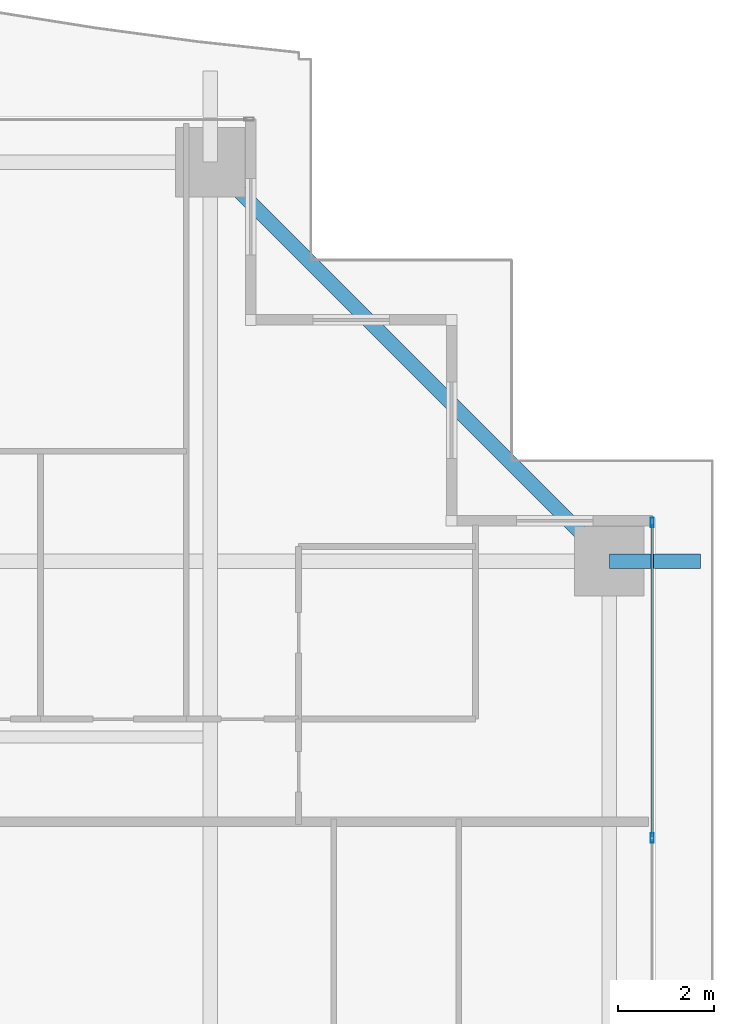
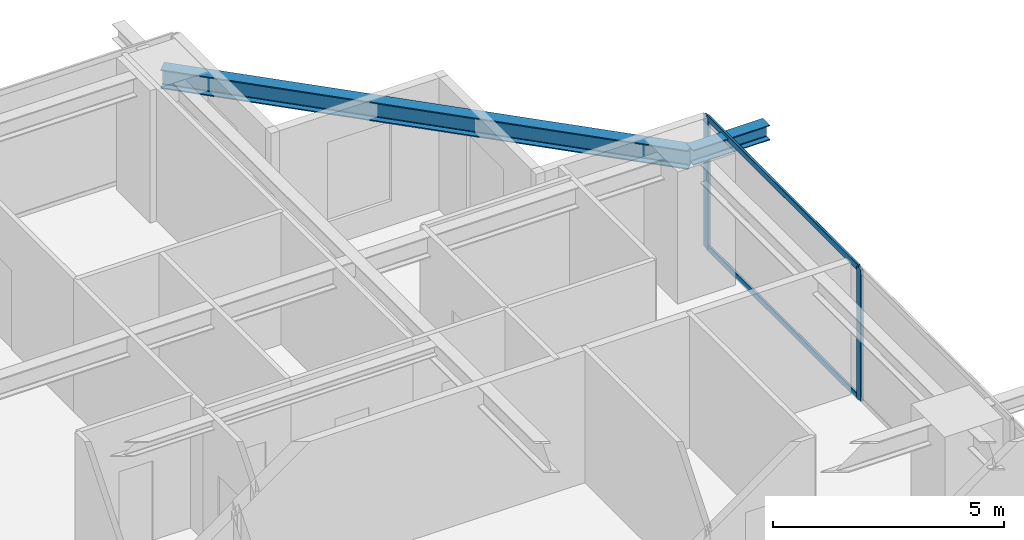
# One storey, part 20 of 35: 4 members, 2 beams, 1 element without a shape of its own.
"""IFC4 building model written with IfcOpenShell, lengths in metres."""

import ifcopenshell
import ifcopenshell.guid

model = None  # the IFC model being written
_history = None  # IfcOwnerHistory: only IFC2X3 demands one
_inside = {}  # id of a spatial element -> (the spatial element, [elements in it])
_under = {}  # id of a project, library or spatial element -> (it, [spatial elements below it])
_declared = {}  # id of a project -> (the project, [libraries it declares])
_typed = {}  # id of a type object -> (the type object, [elements of that type])
_made_of = {}  # id of a material, layer set ... -> (it, [elements and type objects made of it])


def new_model(schema):
    """Start an empty IFC model of exactly this schema.

    Asked for "IFC4X3", IfcOpenShell would pick the latest addendum, in which some entities
    have other attributes; the version numbers below select the first issue.
    IFC2X3 requires an IfcOwnerHistory on every rooted entity: one is made here for all.
    """
    global model, _history
    if schema == "IFC4X3":
        model = ifcopenshell.file(schema_version=(4, 3, 0, 0))
    else:
        model = ifcopenshell.file(schema=schema)
    _inside.clear()
    _under.clear()
    _declared.clear()
    _typed.clear()
    _made_of.clear()
    _history = None
    if model.schema == "IFC2X3":
        org = make("IfcOrganization", Name="unknown")
        user = make(
            "IfcPersonAndOrganization",
            ThePerson=make("IfcPerson", FamilyName="unknown"),
            TheOrganization=org,
        )
        app = make(
            "IfcApplication",
            ApplicationDeveloper=org,
            Version="unknown",
            ApplicationFullName="unknown",
            ApplicationIdentifier="unknown",
        )
        _history = make(
            "IfcOwnerHistory",
            OwningUser=user,
            OwningApplication=app,
            ChangeAction="ADDED",
            CreationDate=0,
        )
    return model


def make(cls, **values):
    """One entity of the class cls with the attributes given. An attribute that is None is left unset."""
    return model.create_entity(
        cls, **{name: value for name, value in values.items() if value is not None}
    )


def rooted(cls, **values):
    """An entity with a GlobalId (a new one), such as an element, a storey or a relation."""
    return make(cls, GlobalId=ifcopenshell.guid.new(), OwnerHistory=_history, **values)


def si_unit(unit_type, name, prefix=None):
    """IfcSIUnit, for example si_unit("LENGTHUNIT", "METRE", prefix="MILLI")."""
    return make("IfcSIUnit", UnitType=unit_type, Prefix=prefix, Name=name)


def assignment(units):
    """IfcUnitAssignment: the units of a project."""
    return None if units is None else make("IfcUnitAssignment", Units=units)


def point(xyz):
    """IfcCartesianPoint."""
    return None if xyz is None else make("IfcCartesianPoint", Coordinates=xyz)


def direction(xyz):
    """IfcDirection."""
    return None if xyz is None else make("IfcDirection", DirectionRatios=xyz)


def frame(location, z_axis=None, x_axis=None):
    """IfcAxis2Placement3D, a coordinate frame: its origin and axes. An axis left out is left unset."""
    return make(
        "IfcAxis2Placement3D",
        Location=point(location),
        Axis=direction(z_axis),
        RefDirection=direction(x_axis),
    )


def frame_2d(location, x_axis=None):
    """IfcAxis2Placement2D, a coordinate frame in the plane: its origin and x axis."""
    return make(
        "IfcAxis2Placement2D", Location=point(location), RefDirection=direction(x_axis)
    )


def origin():
    """The frame at (0, 0, 0) with its axes left unset."""
    return frame((0.0, 0.0, 0.0))


def origin_2d():
    """The frame at (0, 0) in the plane with its x axis left unset."""
    return frame_2d((0.0, 0.0))


def place(relative_to, where):
    """IfcLocalPlacement: puts the frame where relative to a parent placement (None: the world)."""
    return make(
        "IfcLocalPlacement", PlacementRelTo=relative_to, RelativePlacement=where
    )


def context(
    kind, dimensions, precision=None, world=None, true_north=None, identifier=None
):
    """IfcGeometricRepresentationContext, for example the 3D "Model" context."""
    return make(
        "IfcGeometricRepresentationContext",
        ContextIdentifier=identifier,
        ContextType=kind,
        CoordinateSpaceDimension=dimensions,
        Precision=precision,
        WorldCoordinateSystem=world,
        TrueNorth=true_north,
    )


def subcontext(parent, identifier, kind, view, scale=None):
    """IfcGeometricRepresentationSubContext, for example "Body" below "Model"."""
    return make(
        "IfcGeometricRepresentationSubContext",
        ContextIdentifier=identifier,
        ContextType=kind,
        ParentContext=parent,
        TargetScale=scale,
        TargetView=view,
    )


def project(units=None, contexts=None):
    """IfcProject with its units and contexts."""
    return rooted(
        "IfcProject",
        Name="project",
        RepresentationContexts=contexts,
        UnitsInContext=assignment(units),
    )


def spatial(cls, under=None, at=None, **own):
    """A site, building, storey or space (cls), placed at a placement, below another one or the project."""
    s = rooted(cls, ObjectPlacement=at, **own)
    if under is not None:
        _under.setdefault(under.id(), (under, []))[1].append(s)
    return s


def profile(cls, at=None, kind="AREA", **sizes):
    """A parametric profile (cls). Its sizes go by their IFC names, for example OverallWidth=200.0."""
    return make(cls, ProfileType=kind, Position=at, **sizes)


def hollow_rectangle(**sizes):
    """IfcRectangleHollowProfileDef."""
    return profile("IfcRectangleHollowProfileDef", **sizes)


def i_section(**sizes):
    """IfcIShapeProfileDef."""
    return profile("IfcIShapeProfileDef", **sizes)


def extrude(swept, where, along, depth):
    """IfcExtrudedAreaSolid: the profile swept, set in the frame where, extruded along a direction by depth."""
    return make(
        "IfcExtrudedAreaSolid",
        SweptArea=swept,
        Position=where,
        ExtrudedDirection=direction(along),
        Depth=depth,
    )


def shape(context_of_items, identifier, shape_type, items):
    """IfcShapeRepresentation: the items that make up one representation, for example the "Body"."""
    return make(
        "IfcShapeRepresentation",
        ContextOfItems=context_of_items,
        RepresentationIdentifier=identifier,
        RepresentationType=shape_type,
        Items=items,
    )


def source(mapping_origin, context_of_items, identifier, shape_type, items):
    """IfcRepresentationMap: a shape defined once, which mapped items show again and again."""
    return make(
        "IfcRepresentationMap",
        MappingOrigin=mapping_origin,
        MappedRepresentation=shape(context_of_items, identifier, shape_type, items),
    )


def transform(
    local_origin,
    x_axis=None,
    y_axis=None,
    z_axis=None,
    scale=None,
    scale2=None,
    scale3=None,
    uniform=True,
):
    """IfcCartesianTransformationOperator3D, or its non-uniform kind. x_axis, y_axis, z_axis: its Axis1, 2, 3."""
    if uniform:
        return make(
            "IfcCartesianTransformationOperator3D",
            Axis1=direction(x_axis),
            Axis2=direction(y_axis),
            LocalOrigin=point(local_origin),
            Scale=scale,
            Axis3=direction(z_axis),
        )
    return make(
        "IfcCartesianTransformationOperator3DnonUniform",
        Axis1=direction(x_axis),
        Axis2=direction(y_axis),
        LocalOrigin=point(local_origin),
        Scale=scale,
        Axis3=direction(z_axis),
        Scale2=scale2,
        Scale3=scale3,
    )


def mapped(mapping_source, mapping_target):
    """IfcMappedItem: shows the shape of a source again, moved by a transform."""
    return make(
        "IfcMappedItem", MappingSource=mapping_source, MappingTarget=mapping_target
    )


def material(Name=None, Category=None):
    """IfcMaterial."""
    return make("IfcMaterial", Name=Name, Category=Category)


def layer(
    of_material, thickness, ventilated=None, Name=None, Category=None, Priority=None
):
    """IfcMaterialLayer: one layer of a wall or slab, of a material (None: an air gap)."""
    return make(
        "IfcMaterialLayer",
        Material=of_material,
        LayerThickness=thickness,
        IsVentilated=ventilated,
        Name=Name,
        Category=Category,
        Priority=Priority,
    )


def layer_set(layers, Name=None):
    """IfcMaterialLayerSet."""
    return make("IfcMaterialLayerSet", MaterialLayers=layers, LayerSetName=Name)


def material_profile(
    of_material, cross_section, Name=None, Category=None, Priority=None
):
    """IfcMaterialProfile: a cross section and its material."""
    return make(
        "IfcMaterialProfile",
        Name=Name,
        Material=of_material,
        Profile=cross_section,
        Priority=Priority,
        Category=Category,
    )


def profile_set(profiles, Name=None, composite=None):
    """IfcMaterialProfileSet."""
    return make(
        "IfcMaterialProfileSet",
        Name=Name,
        MaterialProfiles=profiles,
        CompositeProfile=composite,
    )


def made_of(thing, what):
    """Note that an element or type object is made of a material, layer set ...; save() writes the relation."""
    if what is not None:
        _made_of.setdefault(what.id(), (what, []))[1].append(thing)
    return thing


def type_object(cls, material=None, **own):
    """A type object (cls), such as IfcWallType, which elements share."""
    return made_of(rooted(cls, **own), material)


def element(
    cls,
    number,
    at=None,
    inside=None,
    cuts=None,
    type_object=None,
    material=None,
    context=None,
    identifier="Body",
    shape_type=None,
    held_by="IfcProductDefinitionShape",
    body=None,
    shapes=None,
    **own,
):
    """One element of the class cls, such as IfcWall. Its Tag is "e" and its number.

    at: its placement. inside: the storey or other place that contains it. cuts: it is an
    opening in that element (IfcRelVoidsElement). A single representation is given by context,
    identifier, shape_type and body (its items); several are given by shapes. held_by: the class
    of the entity that holds the representations. save() writes the other relations.
    """
    e = rooted(cls, Tag="e%d" % number, ObjectPlacement=at, **own)
    if body is not None:
        shapes = [shape(context, identifier, shape_type, body)]
    if shapes is not None:
        e.Representation = make(held_by, Representations=shapes)
    if inside is not None:
        _inside.setdefault(inside.id(), (inside, []))[1].append(e)
    if cuts is not None:
        rooted(
            "IfcRelVoidsElement", RelatingBuildingElement=cuts, RelatedOpeningElement=e
        )
    if type_object is not None:
        _typed.setdefault(type_object.id(), (type_object, []))[1].append(e)
    return made_of(e, material)


def aggregate(whole, parts):
    """IfcRelAggregates: a whole, such as a stair, and the parts it consists of."""
    return rooted("IfcRelAggregates", RelatingObject=whole, RelatedObjects=parts)


def save(model, path):
    """Write the relations noted so far, then the file.

    IfcRelAggregates (storeys below a building ...), IfcRelContainedInSpatialStructure (elements
    in a storey), IfcRelDefinesByType, IfcRelAssociatesMaterial and IfcRelDeclares: one each for
    every whole, place, type object, material and project.
    """
    for whole, parts in _under.values():
        aggregate(whole, parts)
    for where, things in _inside.values():
        rooted(
            "IfcRelContainedInSpatialStructure",
            RelatedElements=things,
            RelatingStructure=where,
        )
    for kind, things in _typed.values():
        rooted("IfcRelDefinesByType", RelatedObjects=things, RelatingType=kind)
    for what, things in _made_of.values():
        rooted("IfcRelAssociatesMaterial", RelatedObjects=things, RelatingMaterial=what)
    for by, libraries in _declared.values():
        rooted("IfcRelDeclares", RelatingContext=by, RelatedDefinitions=libraries)
    model.write(path)


model = new_model("IFC4")

# Units and contexts
model_context = context("Model", 3, precision=1e-05, world=origin(), true_north=direction((0.0, 1.0)))
body_context = subcontext(model_context, "Body", "Model", "MODEL_VIEW")
ifc_project = project(units=[si_unit("LENGTHUNIT", "METRE"), si_unit("AREAUNIT", "SQUARE_METRE"), si_unit("VOLUMEUNIT", "CUBIC_METRE"), si_unit("PLANEANGLEUNIT", "RADIAN"), si_unit("MASSUNIT", "GRAM", prefix="KILO")], contexts=[model_context])

# Site, building, storey
site_placement = place(None, origin())
site = spatial("IfcSite", under=ifc_project, at=site_placement, CompositionType="ELEMENT")
building_placement = place(site_placement, origin())
building = spatial("IfcBuilding", under=site, at=building_placement, Name="Serunith Strait Residences", CompositionType="ELEMENT")
storey_placement = place(building_placement, frame((0.0, 0.0, 71.699951171875)))
storey = spatial("IfcBuildingStorey", under=building, at=storey_placement, Name="L17", CompositionType="ELEMENT", Elevation=71.699951171875)

# Beams
ifc_material_1 = material(Name="Steel S355J2", Category="steel")
ifc_material_profile_1 = material_profile(ifc_material_1, i_section(OverallWidth=0.300048828125, OverallDepth=0.5, WebThickness=0.014404296875, FlangeThickness=0.028076171875, FilletRadius=0.027099609375, at=origin_2d()), Name="HEB 500")
ifc_profile_set_1 = profile_set([ifc_material_profile_1], Name="Steel S355J2")
beam_type_1 = type_object("IfcBeamType", Name="BM-HEB500", PredefinedType="BEAM", material=ifc_profile_set_1)
shared_shape_1 = source(origin(), body_context, "Body", "SweptSolid", [
    extrude(i_section(OverallWidth=0.300048828125, OverallDepth=0.5, WebThickness=0.014404296875, FlangeThickness=0.028076171875, FilletRadius=0.027099609375, at=origin_2d()), origin(), (0.0, 0.0, 1.0), 11.80859375),
])
beam_1_placement = place(storey_placement, frame((57.89990234375, 40.949951171875, 3.20703125), z_axis=(-0.707096443746, 0.707117118476, 0.0), x_axis=(-0.707117118476, -0.707096443746, 0.0)))
element("IfcBeam", 1, at=beam_1_placement, inside=storey, type_object=beam_type_1, Name="L17 Perimeter Ring Beam 08", PredefinedType="BEAM", context=body_context, shape_type="MappedRepresentation", body=[
    mapped(shared_shape_1, transform((0.0, 0.0, 0.0), scale=1.0)),
])
ifc_material_profile_2 = material_profile(ifc_material_1, i_section(OverallWidth=0.300048828125, OverallDepth=0.39990234375, WebThickness=0.013427734375, FlangeThickness=0.02392578125, FilletRadius=0.027099609375, at=origin_2d()), Name="HEB 400")
ifc_profile_set_2 = profile_set([ifc_material_profile_2], Name="Steel S355J2")
beam_type_2 = type_object("IfcBeamType", Name="BM-HEB400", PredefinedType="BEAM", material=ifc_profile_set_2)
shared_shape_2 = source(origin(), body_context, "Body", "SweptSolid", [
    extrude(i_section(OverallWidth=0.300048828125, OverallDepth=0.39990234375, WebThickness=0.013427734375, FlangeThickness=0.02392578125, FilletRadius=0.027099609375, at=origin_2d()), origin(), (0.0, 0.0, 1.0), 1.91015625),
])
beam_2_placement = place(storey_placement, frame((57.89990234375, 40.949951171875, 3.257080078125), z_axis=(1.0, 0.0, 0.0), x_axis=(0.0, 1.0, 0.0)))
element("IfcBeam", 2, at=beam_2_placement, inside=storey, type_object=beam_type_2, Name="L18 Cantilevered Balcony Rib TC-E4", PredefinedType="BEAM", context=body_context, shape_type="MappedRepresentation", body=[
    mapped(shared_shape_2, transform((0.0, 0.0, 0.0), scale=1.0)),
])

# Curtain wall, members
ifc_material_2 = material(Name="Pale-Champagne Anodised Aluminium", Category="aluminium")
ifc_layer = layer(ifc_material_2, 0.199951171875, Name="Pale-Champagne Anodised Aluminium")
ifc_layer_set = layer_set([ifc_layer], Name="Pale-Champagne Anodised Aluminium")
curtain_wall_type = type_object("IfcCurtainWallType", Name="CW-SYS1", PredefinedType="NOTDEFINED", material=ifc_layer_set)
curtain_wall_placement = place(storey_placement, origin())
curtain_wall = element("IfcCurtainWall", 3, at=curtain_wall_placement, inside=storey, type_object=curtain_wall_type, Name="L17 E Unitised Fritted Curtain Wall", PredefinedType="NOTDEFINED")
ifc_material_profile_3 = material_profile(ifc_material_2, hollow_rectangle(XDim=0.070068359375, YDim=0.199951171875, WallThickness=0.00390625, InnerFilletRadius=0.006103515625, OuterFilletRadius=0.010009765625, at=origin_2d()), Name="ALU 200x70x4")
ifc_profile_set_3 = profile_set([ifc_material_profile_3], Name="Pale-Champagne Anodised Aluminium")
member_type_1 = type_object("IfcMemberType", Name="CW-SYS1-MULL", PredefinedType="MULLION", material=ifc_profile_set_3)
shared_shape_3 = source(origin(), body_context, "Body", "SweptSolid", [
    extrude(hollow_rectangle(XDim=0.070068359375, YDim=0.199951171875, WallThickness=0.00390625, InnerFilletRadius=0.006103515625, OuterFilletRadius=0.010009765625, at=origin_2d()), origin(), (0.0, 0.0, 1.0), 3.47509765625),
])
member_1_placement = place(storey_placement, frame((58.800048828125, 35.159912109375, 0.0), z_axis=(0.0, 0.0, 1.0), x_axis=(-1.0, 0.0, 0.0)))
member_1 = element("IfcMember", 4, at=member_1_placement, type_object=member_type_1, Name="CW-1 mullion 5", PredefinedType="MULLION", context=body_context, shape_type="MappedRepresentation", body=[
    mapped(shared_shape_3, transform((0.0, 0.0, 0.0), scale=1.0)),
])
member_2_placement = place(storey_placement, frame((58.800048828125, 41.764892578125, 0.0), z_axis=(0.0, 0.0, 1.0), x_axis=(-1.0, 0.0, 0.0)))
member_2 = element("IfcMember", 5, at=member_2_placement, type_object=member_type_1, Name="CW-1 mullion 6", PredefinedType="MULLION", context=body_context, shape_type="MappedRepresentation", body=[
    mapped(shared_shape_3, transform((0.0, 0.0, 0.0), scale=1.0)),
])
ifc_material_profile_4 = material_profile(ifc_material_2, hollow_rectangle(XDim=0.06005859375, YDim=0.159912109375, WallThickness=0.00341796875, InnerFilletRadius=0.00537109375, OuterFilletRadius=0.0087890625, at=origin_2d()), Name="ALU 160x60x3.5")
ifc_profile_set_4 = profile_set([ifc_material_profile_4], Name="Pale-Champagne Anodised Aluminium")
member_type_2 = type_object("IfcMemberType", Name="CW-SYS1-TRAN", PredefinedType="USERDEFINED", material=ifc_profile_set_4)
shared_shape_4 = source(origin(), body_context, "Body", "SweptSolid", [
    extrude(hollow_rectangle(XDim=0.06005859375, YDim=0.159912109375, WallThickness=0.00341796875, InnerFilletRadius=0.00537109375, OuterFilletRadius=0.0087890625, at=origin_2d()), origin(), (0.0, 0.0, 1.0), 6.534912109375),
])
member_3_placement = place(storey_placement, frame((58.800048828125, 35.195068359375, 0.030029296875), z_axis=(0.0, 1.0, 0.0), x_axis=(-1.0, 0.0, 0.0)))
member_3 = element("IfcMember", 6, at=member_3_placement, type_object=member_type_2, Name="CW-1 transom 5.1", ObjectType="TRANSOM", PredefinedType="USERDEFINED", context=body_context, shape_type="MappedRepresentation", body=[
    mapped(shared_shape_4, transform((0.0, 0.0, 0.0), scale=1.0)),
])
member_4_placement = place(storey_placement, frame((58.800048828125, 35.195068359375, 3.445068359375), z_axis=(0.0, 1.0, 0.0), x_axis=(-1.0, 0.0, 0.0)))
member_4 = element("IfcMember", 7, at=member_4_placement, type_object=member_type_2, Name="CW-1 transom 5.2", ObjectType="TRANSOM", PredefinedType="USERDEFINED", context=body_context, shape_type="MappedRepresentation", body=[
    mapped(shared_shape_4, transform((0.0, 0.0, 0.0), scale=1.0)),
])
aggregate(curtain_wall, [member_1, member_2, member_3, member_4])

save(model, "model.ifc")
